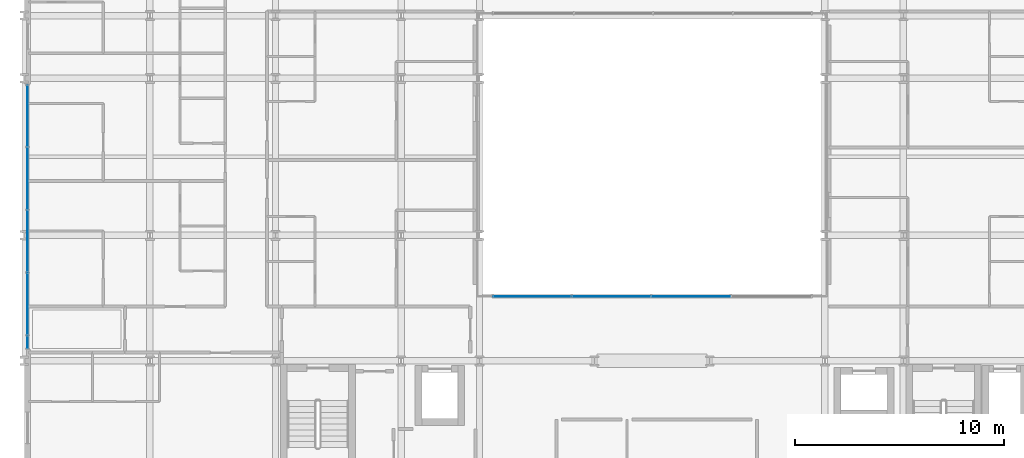
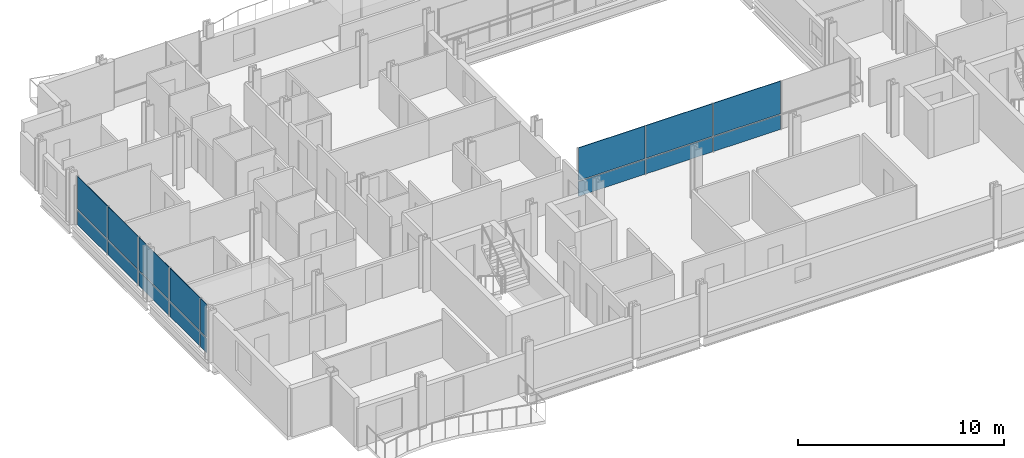
# One storey, part 26 of 40: 16 plates, 2 elements without a shape of their own.
"""IFC4 building model written with IfcOpenShell, lengths in metres."""

from ifc_helpers import new_model, si_unit, direction, frame, origin, origin_2d, place, context, subcontext, project, spatial, rectangle, extrude, material, layer, layer_set, type_object, element, aggregate, save


model = new_model("IFC4")

# Units and contexts
model_context = context("Model", 3, precision=1e-05, world=origin(), true_north=direction((0.0, 1.0)))
body_context = subcontext(model_context, "Body", "Model", "MODEL_VIEW")
ifc_project = project(units=[si_unit("LENGTHUNIT", "METRE"), si_unit("AREAUNIT", "SQUARE_METRE"), si_unit("VOLUMEUNIT", "CUBIC_METRE"), si_unit("PLANEANGLEUNIT", "RADIAN"), si_unit("MASSUNIT", "GRAM", prefix="KILO")], contexts=[model_context])

# Site, building, storey
site_placement = place(None, origin())
site = spatial("IfcSite", under=ifc_project, at=site_placement, CompositionType="ELEMENT")
building_placement = place(site_placement, origin())
building = spatial("IfcBuilding", under=site, at=building_placement, Name="Brevholm Reach", CompositionType="ELEMENT")
storey_placement = place(building_placement, frame((0.0, 0.0, 31.10009765625)))
storey = spatial("IfcBuildingStorey", under=building, at=storey_placement, Name="L07", CompositionType="ELEMENT", Elevation=31.10009765625)

# Curtain wall, plates
ifc_material_1 = material(Name="Dark Anodised Aluminium 6063-T6 and Solar-Control Glass", Category="aluminium")
ifc_layer_1 = layer(ifc_material_1, 0.14990234375)
ifc_layer_set_1 = layer_set([ifc_layer_1], Name="Dark Anodised Aluminium 6063-T6 and Solar-Control Glass")
curtain_wall_type_1 = type_object("IfcCurtainWallType", Name="CW-01", PredefinedType="NOTDEFINED", material=ifc_layer_set_1)
curtain_wall_1_placement = place(storey_placement, origin())
curtain_wall_1 = element("IfcCurtainWall", 1, at=curtain_wall_1_placement, inside=storey, type_object=curtain_wall_type_1, Name="L07 Curtain Wall CW-01", PredefinedType="NOTDEFINED")
ifc_material_2 = material(Name="Dark Solar-Control Double-Glazed IGU Glass", Category="glass")
ifc_layer_2 = layer(ifc_material_2, 0.028076171875)
ifc_layer_set_2 = layer_set([ifc_layer_2], Name="Dark Solar-Control Double-Glazed IGU Glass")
plate_type_1 = type_object("IfcPlateType", Name="CWP-GLZ-28", PredefinedType="CURTAIN_PANEL", material=ifc_layer_set_2)
plate_1_placement = place(storey_placement, frame((0.14990234375, 21.703857421875, 0.0), z_axis=(0.0, 0.0, 1.0), x_axis=(0.0, -1.0, 0.0)))
plate_1 = element("IfcPlate", 2, at=plate_1_placement, type_object=plate_type_1, Name="CP-01 Glazing Panel 1.1", PredefinedType="CURTAIN_PANEL", context=body_context, shape_type="SweptSolid", body=[
    extrude(rectangle(XDim=2.902587890625, YDim=0.028076171875, at=origin_2d()), origin(), (0.0, 0.0, 1.0), 0.867431640625),
])
plate_2_placement = place(storey_placement, frame((0.14990234375, 21.703857421875, 0.932373046875), z_axis=(0.0, 0.0, 1.0), x_axis=(0.0, -1.0, 0.0)))
plate_2 = element("IfcPlate", 3, at=plate_2_placement, type_object=plate_type_1, Name="CP-01 Glazing Panel 1.2", PredefinedType="CURTAIN_PANEL", context=body_context, shape_type="SweptSolid", body=[
    extrude(rectangle(XDim=2.902587890625, YDim=0.028076171875, at=origin_2d()), origin(), (0.0, 0.0, 1.0), 1.9375),
])
plate_3_placement = place(storey_placement, frame((0.14990234375, 18.719970703125, 0.0), z_axis=(0.0, 0.0, 1.0), x_axis=(0.0, -1.0, 0.0)))
plate_3 = element("IfcPlate", 4, at=plate_3_placement, type_object=plate_type_1, Name="CP-01 Glazing Panel 2.1", PredefinedType="CURTAIN_PANEL", context=body_context, shape_type="SweptSolid", body=[
    extrude(rectangle(XDim=2.93505859375, YDim=0.028076171875, at=origin_2d()), origin(), (0.0, 0.0, 1.0), 0.867431640625),
])
plate_4_placement = place(storey_placement, frame((0.14990234375, 18.719970703125, 0.932373046875), z_axis=(0.0, 0.0, 1.0), x_axis=(0.0, -1.0, 0.0)))
plate_4 = element("IfcPlate", 5, at=plate_4_placement, type_object=plate_type_1, Name="CP-01 Glazing Panel 2.2", PredefinedType="CURTAIN_PANEL", context=body_context, shape_type="SweptSolid", body=[
    extrude(rectangle(XDim=2.93505859375, YDim=0.028076171875, at=origin_2d()), origin(), (0.0, 0.0, 1.0), 1.9375),
])
plate_5_placement = place(storey_placement, frame((0.14990234375, 15.719970703125, 0.0), z_axis=(0.0, 0.0, 1.0), x_axis=(0.0, -1.0, 0.0)))
plate_5 = element("IfcPlate", 6, at=plate_5_placement, type_object=plate_type_1, Name="CP-01 Glazing Panel 3.1", PredefinedType="CURTAIN_PANEL", context=body_context, shape_type="SweptSolid", body=[
    extrude(rectangle(XDim=2.93505859375, YDim=0.028076171875, at=origin_2d()), origin(), (0.0, 0.0, 1.0), 0.867431640625),
])
plate_6_placement = place(storey_placement, frame((0.14990234375, 15.719970703125, 0.932373046875), z_axis=(0.0, 0.0, 1.0), x_axis=(0.0, -1.0, 0.0)))
plate_6 = element("IfcPlate", 7, at=plate_6_placement, type_object=plate_type_1, Name="CP-01 Glazing Panel 3.2", PredefinedType="CURTAIN_PANEL", context=body_context, shape_type="SweptSolid", body=[
    extrude(rectangle(XDim=2.93505859375, YDim=0.028076171875, at=origin_2d()), origin(), (0.0, 0.0, 1.0), 1.9375),
])
plate_7_placement = place(storey_placement, frame((0.14990234375, 12.719970703125, 0.0), z_axis=(0.0, 0.0, 1.0), x_axis=(0.0, -1.0, 0.0)))
plate_7 = element("IfcPlate", 8, at=plate_7_placement, type_object=plate_type_1, Name="CP-01 Glazing Panel 4.1", PredefinedType="CURTAIN_PANEL", context=body_context, shape_type="SweptSolid", body=[
    extrude(rectangle(XDim=2.93505859375, YDim=0.028076171875, at=origin_2d()), origin(), (0.0, 0.0, 1.0), 0.867431640625),
])
plate_8_placement = place(storey_placement, frame((0.14990234375, 12.719970703125, 0.932373046875), z_axis=(0.0, 0.0, 1.0), x_axis=(0.0, -1.0, 0.0)))
plate_8 = element("IfcPlate", 9, at=plate_8_placement, type_object=plate_type_1, Name="CP-01 Glazing Panel 4.2", PredefinedType="CURTAIN_PANEL", context=body_context, shape_type="SweptSolid", body=[
    extrude(rectangle(XDim=2.93505859375, YDim=0.028076171875, at=origin_2d()), origin(), (0.0, 0.0, 1.0), 1.9375),
])
plate_9_placement = place(storey_placement, frame((0.14990234375, 10.9013671875, 0.0), z_axis=(0.0, 0.0, 1.0), x_axis=(0.0, -1.0, 0.0)))
plate_9 = element("IfcPlate", 10, at=plate_9_placement, type_object=plate_type_1, Name="CP-01 Glazing Panel 5.1", PredefinedType="CURTAIN_PANEL", context=body_context, shape_type="SweptSolid", body=[
    extrude(rectangle(XDim=0.572509765625, YDim=0.028076171875, at=origin_2d()), origin(), (0.0, 0.0, 1.0), 0.867431640625),
])
plate_10_placement = place(storey_placement, frame((0.14990234375, 10.9013671875, 0.932373046875), z_axis=(0.0, 0.0, 1.0), x_axis=(0.0, -1.0, 0.0)))
plate_10 = element("IfcPlate", 11, at=plate_10_placement, type_object=plate_type_1, Name="CP-01 Glazing Panel 5.2", PredefinedType="CURTAIN_PANEL", context=body_context, shape_type="SweptSolid", body=[
    extrude(rectangle(XDim=0.572509765625, YDim=0.028076171875, at=origin_2d()), origin(), (0.0, 0.0, 1.0), 1.9375),
])
aggregate(curtain_wall_1, [plate_1, plate_2, plate_3, plate_4, plate_5, plate_6, plate_7, plate_8, plate_9, plate_10])

ifc_material_3 = material(Name="Dark Anodised Aluminium 6063-T6 and Solar-Control Glass", Category="aluminium")
ifc_layer_3 = layer(ifc_material_3, 0.139892578125)
ifc_layer_set_3 = layer_set([ifc_layer_3], Name="Dark Anodised Aluminium 6063-T6 and Solar-Control Glass")
curtain_wall_type_2 = type_object("IfcCurtainWallType", Name="CW-02", PredefinedType="NOTDEFINED", material=ifc_layer_set_3)
curtain_wall_2_placement = place(storey_placement, origin())
curtain_wall_2 = element("IfcCurtainWall", 12, at=curtain_wall_2_placement, inside=storey, type_object=curtain_wall_type_2, Name="L07 Curtain Wall CW-02", PredefinedType="NOTDEFINED")
ifc_material_4 = material(Name="Low-Iron Laminated Acoustic Glass", Category="glass")
ifc_layer_4 = layer(ifc_material_4, 0.035888671875)
ifc_layer_set_4 = layer_set([ifc_layer_4], Name="Low-Iron Laminated Acoustic Glass")
plate_type_2 = type_object("IfcPlateType", Name="CWP-GLZ-36", PredefinedType="CURTAIN_PANEL", material=ifc_layer_set_4)
plate_11_placement = place(storey_placement, frame((24.264892578125, 13.080078125, -0.000244140625), z_axis=(0.0, 0.0, 1.0), x_axis=(1.0, 0.0, 0.0)))
plate_11 = element("IfcPlate", 13, at=plate_11_placement, type_object=plate_type_2, Name="CP-02 Glazing Panel 1.1", PredefinedType="CURTAIN_PANEL", context=body_context, shape_type="SweptSolid", body=[
    extrude(rectangle(XDim=3.7099609375, YDim=0.035888671875, at=origin_2d()), origin(), (0.0, 0.0, 1.0), 0.8701171875),
])
plate_12_placement = place(storey_placement, frame((24.264892578125, 13.080078125, 0.929931640625), z_axis=(0.0, 0.0, 1.0), x_axis=(1.0, 0.0, 0.0)))
plate_12 = element("IfcPlate", 14, at=plate_12_placement, type_object=plate_type_2, Name="CP-02 Glazing Panel 1.2", PredefinedType="CURTAIN_PANEL", context=body_context, shape_type="SweptSolid", body=[
    extrude(rectangle(XDim=3.7099609375, YDim=0.035888671875, at=origin_2d()), origin(), (0.0, 0.0, 1.0), 1.93994140625),
])
plate_13_placement = place(storey_placement, frame((28.050048828125, 13.080078125, -0.000244140625), z_axis=(0.0, 0.0, 1.0), x_axis=(1.0, 0.0, 0.0)))
plate_13 = element("IfcPlate", 15, at=plate_13_placement, type_object=plate_type_2, Name="CP-02 Glazing Panel 2.1", PredefinedType="CURTAIN_PANEL", context=body_context, shape_type="SweptSolid", body=[
    extrude(rectangle(XDim=3.739990234375, YDim=0.035888671875, at=origin_2d()), origin(), (0.0, 0.0, 1.0), 0.8701171875),
])
plate_14_placement = place(storey_placement, frame((28.050048828125, 13.080078125, 0.929931640625), z_axis=(0.0, 0.0, 1.0), x_axis=(1.0, 0.0, 0.0)))
plate_14 = element("IfcPlate", 16, at=plate_14_placement, type_object=plate_type_2, Name="CP-02 Glazing Panel 2.2", PredefinedType="CURTAIN_PANEL", context=body_context, shape_type="SweptSolid", body=[
    extrude(rectangle(XDim=3.739990234375, YDim=0.035888671875, at=origin_2d()), origin(), (0.0, 0.0, 1.0), 1.93994140625),
])
plate_15_placement = place(storey_placement, frame((31.85009765625, 13.080078125, -0.000244140625), z_axis=(0.0, 0.0, 1.0), x_axis=(1.0, 0.0, 0.0)))
plate_15 = element("IfcPlate", 17, at=plate_15_placement, type_object=plate_type_2, Name="CP-02 Glazing Panel 3.1", PredefinedType="CURTAIN_PANEL", context=body_context, shape_type="SweptSolid", body=[
    extrude(rectangle(XDim=3.739990234375, YDim=0.035888671875, at=origin_2d()), origin(), (0.0, 0.0, 1.0), 0.8701171875),
])
plate_16_placement = place(storey_placement, frame((31.85009765625, 13.080078125, 0.929931640625), z_axis=(0.0, 0.0, 1.0), x_axis=(1.0, 0.0, 0.0)))
plate_16 = element("IfcPlate", 18, at=plate_16_placement, type_object=plate_type_2, Name="CP-02 Glazing Panel 3.2", PredefinedType="CURTAIN_PANEL", context=body_context, shape_type="SweptSolid", body=[
    extrude(rectangle(XDim=3.739990234375, YDim=0.035888671875, at=origin_2d()), origin(), (0.0, 0.0, 1.0), 1.93994140625),
])
aggregate(curtain_wall_2, [plate_11, plate_12, plate_13, plate_14, plate_15, plate_16])

save(model, "model.ifc")
